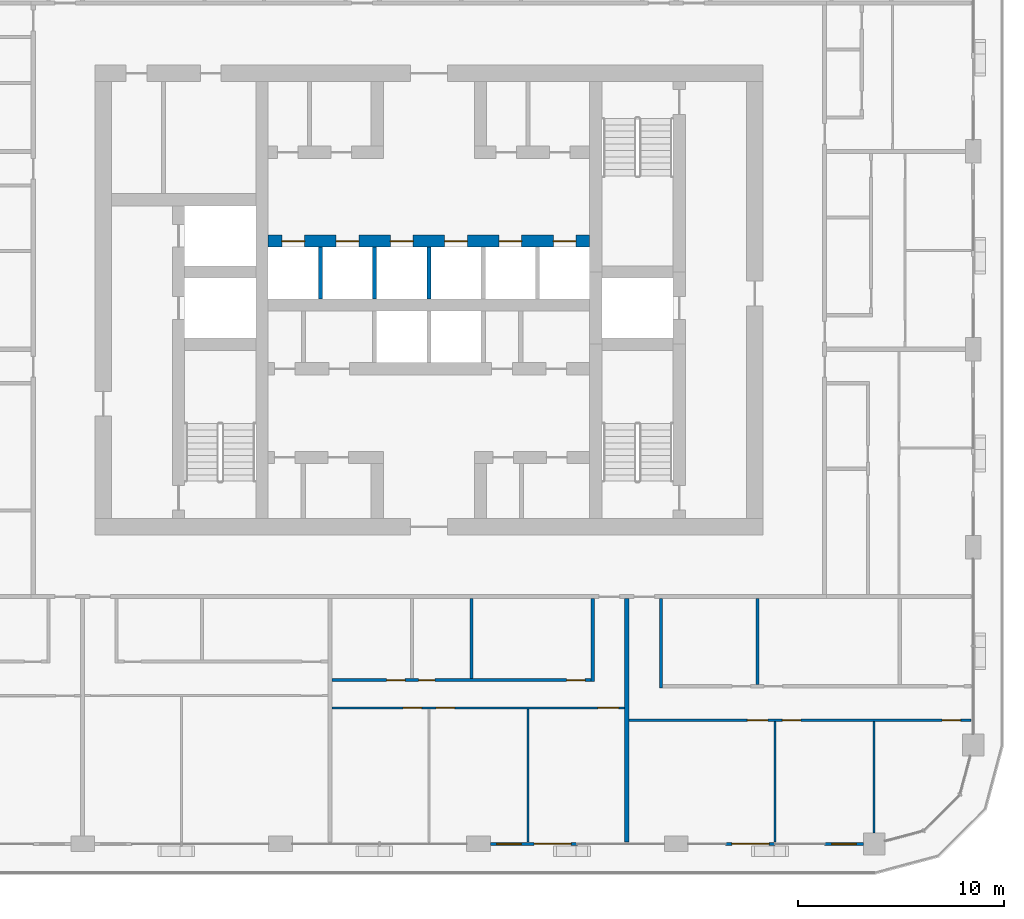
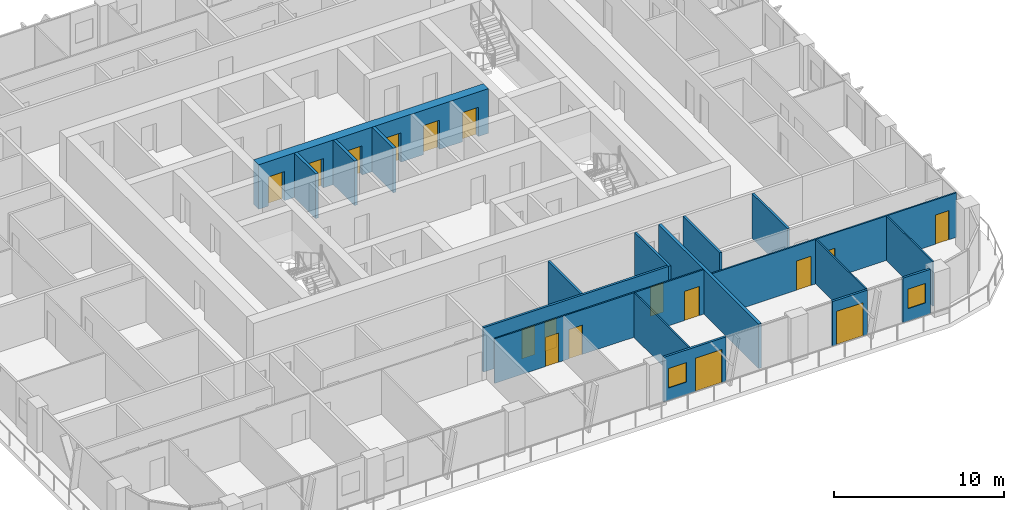
# One storey, part 11 of 22: 18 walls, 17 doors, 2 windows, 19 openings.
"""IFC4 building model written with IfcOpenShell, lengths in metres."""

import ifcopenshell
import ifcopenshell.guid

model = None  # the IFC model being written
_history = None  # IfcOwnerHistory: only IFC2X3 demands one
_inside = {}  # id of a spatial element -> (the spatial element, [elements in it])
_under = {}  # id of a project, library or spatial element -> (it, [spatial elements below it])
_declared = {}  # id of a project -> (the project, [libraries it declares])
_typed = {}  # id of a type object -> (the type object, [elements of that type])
_made_of = {}  # id of a material, layer set ... -> (it, [elements and type objects made of it])


def new_model(schema):
    """Start an empty IFC model of exactly this schema.

    Asked for "IFC4X3", IfcOpenShell would pick the latest addendum, in which some entities
    have other attributes; the version numbers below select the first issue.
    IFC2X3 requires an IfcOwnerHistory on every rooted entity: one is made here for all.
    """
    global model, _history
    if schema == "IFC4X3":
        model = ifcopenshell.file(schema_version=(4, 3, 0, 0))
    else:
        model = ifcopenshell.file(schema=schema)
    _inside.clear()
    _under.clear()
    _declared.clear()
    _typed.clear()
    _made_of.clear()
    _history = None
    if model.schema == "IFC2X3":
        org = make("IfcOrganization", Name="unknown")
        user = make(
            "IfcPersonAndOrganization",
            ThePerson=make("IfcPerson", FamilyName="unknown"),
            TheOrganization=org,
        )
        app = make(
            "IfcApplication",
            ApplicationDeveloper=org,
            Version="unknown",
            ApplicationFullName="unknown",
            ApplicationIdentifier="unknown",
        )
        _history = make(
            "IfcOwnerHistory",
            OwningUser=user,
            OwningApplication=app,
            ChangeAction="ADDED",
            CreationDate=0,
        )
    return model


def make(cls, **values):
    """One entity of the class cls with the attributes given. An attribute that is None is left unset."""
    return model.create_entity(
        cls, **{name: value for name, value in values.items() if value is not None}
    )


def rooted(cls, **values):
    """An entity with a GlobalId (a new one), such as an element, a storey or a relation."""
    return make(cls, GlobalId=ifcopenshell.guid.new(), OwnerHistory=_history, **values)


def si_unit(unit_type, name, prefix=None):
    """IfcSIUnit, for example si_unit("LENGTHUNIT", "METRE", prefix="MILLI")."""
    return make("IfcSIUnit", UnitType=unit_type, Prefix=prefix, Name=name)


def assignment(units):
    """IfcUnitAssignment: the units of a project."""
    return None if units is None else make("IfcUnitAssignment", Units=units)


def point(xyz):
    """IfcCartesianPoint."""
    return None if xyz is None else make("IfcCartesianPoint", Coordinates=xyz)


def direction(xyz):
    """IfcDirection."""
    return None if xyz is None else make("IfcDirection", DirectionRatios=xyz)


def frame(location, z_axis=None, x_axis=None):
    """IfcAxis2Placement3D, a coordinate frame: its origin and axes. An axis left out is left unset."""
    return make(
        "IfcAxis2Placement3D",
        Location=point(location),
        Axis=direction(z_axis),
        RefDirection=direction(x_axis),
    )


def frame_2d(location, x_axis=None):
    """IfcAxis2Placement2D, a coordinate frame in the plane: its origin and x axis."""
    return make(
        "IfcAxis2Placement2D", Location=point(location), RefDirection=direction(x_axis)
    )


def origin():
    """The frame at (0, 0, 0) with its axes left unset."""
    return frame((0.0, 0.0, 0.0))


def place(relative_to, where):
    """IfcLocalPlacement: puts the frame where relative to a parent placement (None: the world)."""
    return make(
        "IfcLocalPlacement", PlacementRelTo=relative_to, RelativePlacement=where
    )


def context(
    kind, dimensions, precision=None, world=None, true_north=None, identifier=None
):
    """IfcGeometricRepresentationContext, for example the 3D "Model" context."""
    return make(
        "IfcGeometricRepresentationContext",
        ContextIdentifier=identifier,
        ContextType=kind,
        CoordinateSpaceDimension=dimensions,
        Precision=precision,
        WorldCoordinateSystem=world,
        TrueNorth=true_north,
    )


def subcontext(parent, identifier, kind, view, scale=None):
    """IfcGeometricRepresentationSubContext, for example "Body" below "Model"."""
    return make(
        "IfcGeometricRepresentationSubContext",
        ContextIdentifier=identifier,
        ContextType=kind,
        ParentContext=parent,
        TargetScale=scale,
        TargetView=view,
    )


def project(units=None, contexts=None):
    """IfcProject with its units and contexts."""
    return rooted(
        "IfcProject",
        Name="project",
        RepresentationContexts=contexts,
        UnitsInContext=assignment(units),
    )


def spatial(cls, under=None, at=None, **own):
    """A site, building, storey or space (cls), placed at a placement, below another one or the project."""
    s = rooted(cls, ObjectPlacement=at, **own)
    if under is not None:
        _under.setdefault(under.id(), (under, []))[1].append(s)
    return s


def profile(cls, at=None, kind="AREA", **sizes):
    """A parametric profile (cls). Its sizes go by their IFC names, for example OverallWidth=200.0."""
    return make(cls, ProfileType=kind, Position=at, **sizes)


def rectangle(**sizes):
    """IfcRectangleProfileDef."""
    return profile("IfcRectangleProfileDef", **sizes)


def extrude(swept, where, along, depth):
    """IfcExtrudedAreaSolid: the profile swept, set in the frame where, extruded along a direction by depth."""
    return make(
        "IfcExtrudedAreaSolid",
        SweptArea=swept,
        Position=where,
        ExtrudedDirection=direction(along),
        Depth=depth,
    )


def shape(context_of_items, identifier, shape_type, items):
    """IfcShapeRepresentation: the items that make up one representation, for example the "Body"."""
    return make(
        "IfcShapeRepresentation",
        ContextOfItems=context_of_items,
        RepresentationIdentifier=identifier,
        RepresentationType=shape_type,
        Items=items,
    )


def material(Name=None, Category=None):
    """IfcMaterial."""
    return make("IfcMaterial", Name=Name, Category=Category)


def layer(
    of_material, thickness, ventilated=None, Name=None, Category=None, Priority=None
):
    """IfcMaterialLayer: one layer of a wall or slab, of a material (None: an air gap)."""
    return make(
        "IfcMaterialLayer",
        Material=of_material,
        LayerThickness=thickness,
        IsVentilated=ventilated,
        Name=Name,
        Category=Category,
        Priority=Priority,
    )


def layer_set(layers, Name=None):
    """IfcMaterialLayerSet."""
    return make("IfcMaterialLayerSet", MaterialLayers=layers, LayerSetName=Name)


def made_of(thing, what):
    """Note that an element or type object is made of a material, layer set ...; save() writes the relation."""
    if what is not None:
        _made_of.setdefault(what.id(), (what, []))[1].append(thing)
    return thing


def type_object(cls, material=None, **own):
    """A type object (cls), such as IfcWallType, which elements share."""
    return made_of(rooted(cls, **own), material)


def element(
    cls,
    number,
    at=None,
    inside=None,
    cuts=None,
    type_object=None,
    material=None,
    context=None,
    identifier="Body",
    shape_type=None,
    held_by="IfcProductDefinitionShape",
    body=None,
    shapes=None,
    **own,
):
    """One element of the class cls, such as IfcWall. Its Tag is "e" and its number.

    at: its placement. inside: the storey or other place that contains it. cuts: it is an
    opening in that element (IfcRelVoidsElement). A single representation is given by context,
    identifier, shape_type and body (its items); several are given by shapes. held_by: the class
    of the entity that holds the representations. save() writes the other relations.
    """
    e = rooted(cls, Tag="e%d" % number, ObjectPlacement=at, **own)
    if body is not None:
        shapes = [shape(context, identifier, shape_type, body)]
    if shapes is not None:
        e.Representation = make(held_by, Representations=shapes)
    if inside is not None:
        _inside.setdefault(inside.id(), (inside, []))[1].append(e)
    if cuts is not None:
        rooted(
            "IfcRelVoidsElement", RelatingBuildingElement=cuts, RelatedOpeningElement=e
        )
    if type_object is not None:
        _typed.setdefault(type_object.id(), (type_object, []))[1].append(e)
    return made_of(e, material)


def fill(opening, filler):
    """IfcRelFillsElement: the door or window that sits in an opening."""
    return rooted(
        "IfcRelFillsElement",
        RelatingOpeningElement=opening,
        RelatedBuildingElement=filler,
    )


def aggregate(whole, parts):
    """IfcRelAggregates: a whole, such as a stair, and the parts it consists of."""
    return rooted("IfcRelAggregates", RelatingObject=whole, RelatedObjects=parts)


def save(model, path):
    """Write the relations noted so far, then the file.

    IfcRelAggregates (storeys below a building ...), IfcRelContainedInSpatialStructure (elements
    in a storey), IfcRelDefinesByType, IfcRelAssociatesMaterial and IfcRelDeclares: one each for
    every whole, place, type object, material and project.
    """
    for whole, parts in _under.values():
        aggregate(whole, parts)
    for where, things in _inside.values():
        rooted(
            "IfcRelContainedInSpatialStructure",
            RelatedElements=things,
            RelatingStructure=where,
        )
    for kind, things in _typed.values():
        rooted("IfcRelDefinesByType", RelatedObjects=things, RelatingType=kind)
    for what, things in _made_of.values():
        rooted("IfcRelAssociatesMaterial", RelatedObjects=things, RelatingMaterial=what)
    for by, libraries in _declared.values():
        rooted("IfcRelDeclares", RelatingContext=by, RelatedDefinitions=libraries)
    model.write(path)


model = new_model("IFC4")

# Units and contexts
model_context = context("Model", 3, precision=1e-05, world=origin(), true_north=direction((0.0, 1.0)))
body_context = subcontext(model_context, "Body", "Model", "MODEL_VIEW")
ifc_project = project(units=[si_unit("LENGTHUNIT", "METRE"), si_unit("AREAUNIT", "SQUARE_METRE"), si_unit("VOLUMEUNIT", "CUBIC_METRE"), si_unit("PLANEANGLEUNIT", "RADIAN"), si_unit("MASSUNIT", "GRAM", prefix="KILO")], contexts=[model_context])

# Site, building, storey
site_placement = place(None, origin())
site = spatial("IfcSite", under=ifc_project, at=site_placement, CompositionType="ELEMENT")
building_placement = place(site_placement, origin())
building = spatial("IfcBuilding", under=site, at=building_placement, Name="Madar Terraces", CompositionType="ELEMENT")
storey_placement = place(building_placement, frame((0.0, 0.0, 156.0)))
storey = spatial("IfcBuildingStorey", under=building, at=storey_placement, Name="L40", CompositionType="ELEMENT", Elevation=156.0)

# Wall, openings, doors
ifc_material_1 = material(Name="Concrete C70/85", Category="concrete")
ifc_layer_1 = layer(ifc_material_1, 0.60009765625)
ifc_layer_set_1 = layer_set([ifc_layer_1], Name="Concrete C70/85 (CIW3 RC wall 600)")
wall_type_1 = type_object("IfcWallType", Name="CIW3 RC wall 600", PredefinedType="SHEAR", material=ifc_layer_set_1)
wall_1_placement = place(storey_placement, frame((23.39990234375, 29.25, 0.0), z_axis=(0.0, 0.0, 1.0), x_axis=(1.0, 0.0, 0.0)))
wall_1 = element("IfcWall", 1, at=wall_1_placement, inside=storey, type_object=wall_type_1, Name="CORE SHAFT WALL", PredefinedType="SHEAR", context=body_context, shape_type="SweptSolid", body=[
    extrude(rectangle(XDim=15.60009765625, YDim=0.60009765625, at=frame_2d((7.800048828125, 0.0))), origin(), (0.0, 0.0, 1.0), 3.199951171875),
])
opening_1_placement = place(wall_1_placement, frame((0.666748046875, 0.0, 0.0)))
opening_1 = element("IfcOpeningElement", 2, at=opening_1_placement, cuts=wall_1, Name="Opening LD", PredefinedType="OPENING", context=body_context, shape_type="SweptSolid", body=[
    extrude(rectangle(XDim=1.10009765625, YDim=2.10009765625, at=frame_2d((0.550048828125, 1.050048828125))), frame((0.0, 0.31005859375, 0.0), z_axis=(0.0, -1.0, 0.0), x_axis=(1.0, 0.0, 0.0)), (0.0, 0.0, 1.0), 0.6201171875),
])
opening_2_placement = place(wall_1_placement, frame((3.300048828125, 0.0, 0.0)))
opening_2 = element("IfcOpeningElement", 3, at=opening_2_placement, cuts=wall_1, Name="Opening LD", PredefinedType="OPENING", context=body_context, shape_type="SweptSolid", body=[
    extrude(rectangle(XDim=1.10009765625, YDim=2.10009765625, at=frame_2d((0.550048828125, 1.050048828125))), frame((0.0, 0.31005859375, 0.0), z_axis=(0.0, -1.0, 0.0), x_axis=(1.0, 0.0, 0.0)), (0.0, 0.0, 1.0), 0.6201171875),
])
opening_3_placement = place(wall_1_placement, frame((5.933349609375, 0.0, 0.0)))
opening_3 = element("IfcOpeningElement", 4, at=opening_3_placement, cuts=wall_1, Name="Opening LD", PredefinedType="OPENING", context=body_context, shape_type="SweptSolid", body=[
    extrude(rectangle(XDim=1.10009765625, YDim=2.10009765625, at=frame_2d((0.550048828125, 1.050048828125))), frame((0.0, 0.31005859375, 0.0), z_axis=(0.0, -1.0, 0.0), x_axis=(1.0, 0.0, 0.0)), (0.0, 0.0, 1.0), 0.6201171875),
])
opening_4_placement = place(wall_1_placement, frame((8.566650390625, 0.0, 0.0)))
opening_4 = element("IfcOpeningElement", 5, at=opening_4_placement, cuts=wall_1, Name="Opening LD", PredefinedType="OPENING", context=body_context, shape_type="SweptSolid", body=[
    extrude(rectangle(XDim=1.10009765625, YDim=2.10009765625, at=frame_2d((0.550048828125, 1.050048828125))), frame((0.0, 0.31005859375, 0.0), z_axis=(0.0, -1.0, 0.0), x_axis=(1.0, 0.0, 0.0)), (0.0, 0.0, 1.0), 0.6201171875),
])
opening_5_placement = place(wall_1_placement, frame((11.199951171875, 0.0, 0.0)))
opening_5 = element("IfcOpeningElement", 6, at=opening_5_placement, cuts=wall_1, Name="Opening LD", PredefinedType="OPENING", context=body_context, shape_type="SweptSolid", body=[
    extrude(rectangle(XDim=1.10009765625, YDim=2.10009765625, at=frame_2d((0.550048828125, 1.050048828125))), frame((0.0, 0.31005859375, 0.0), z_axis=(0.0, -1.0, 0.0), x_axis=(1.0, 0.0, 0.0)), (0.0, 0.0, 1.0), 0.6201171875),
])
opening_6_placement = place(wall_1_placement, frame((13.833251953125, 0.0, 0.0)))
opening_6 = element("IfcOpeningElement", 7, at=opening_6_placement, cuts=wall_1, Name="Opening LD", PredefinedType="OPENING", context=body_context, shape_type="SweptSolid", body=[
    extrude(rectangle(XDim=1.10009765625, YDim=2.10009765625, at=frame_2d((0.550048828125, 1.050048828125))), frame((0.0, 0.31005859375, 0.0), z_axis=(0.0, -1.0, 0.0), x_axis=(1.0, 0.0, 0.0)), (0.0, 0.0, 1.0), 0.6201171875),
])
ifc_material_2 = material(Name="Stainless steel panel", Category="steel")
door_type_1 = type_object("IfcDoorType", Name="Lift landing door 1100 x 2100", OperationType="DOUBLE_DOOR_SLIDING", PredefinedType="DOOR", material=ifc_material_2)
door_1_placement = place(opening_1_placement, origin())
door_1 = element("IfcDoor", 8, at=door_1_placement, inside=storey, type_object=door_type_1, Name="LIFT LANDING DOOR", OperationType="DOUBLE_DOOR_SLIDING", OverallHeight=2.10009765625, OverallWidth=1.10009765625, PredefinedType="DOOR", context=body_context, shape_type="SweptSolid", body=[
    extrude(rectangle(XDim=1.10009765625, YDim=2.10009765625, at=frame_2d((0.550048828125, 1.050048828125))), frame((0.0, 0.02490234375, 0.0), z_axis=(0.0, -1.0, 0.0), x_axis=(1.0, 0.0, 0.0)), (0.0, 0.0, 1.0), 0.050048828125),
])
fill(opening_1, door_1)
door_2_placement = place(opening_2_placement, origin())
door_2 = element("IfcDoor", 9, at=door_2_placement, inside=storey, type_object=door_type_1, Name="LIFT LANDING DOOR", OperationType="DOUBLE_DOOR_SLIDING", OverallHeight=2.10009765625, OverallWidth=1.10009765625, PredefinedType="DOOR", context=body_context, shape_type="SweptSolid", body=[
    extrude(rectangle(XDim=1.10009765625, YDim=2.10009765625, at=frame_2d((0.550048828125, 1.050048828125))), frame((0.0, 0.02490234375, 0.0), z_axis=(0.0, -1.0, 0.0), x_axis=(1.0, 0.0, 0.0)), (0.0, 0.0, 1.0), 0.050048828125),
])
fill(opening_2, door_2)
door_3_placement = place(opening_3_placement, origin())
door_3 = element("IfcDoor", 10, at=door_3_placement, inside=storey, type_object=door_type_1, Name="LIFT LANDING DOOR", OperationType="DOUBLE_DOOR_SLIDING", OverallHeight=2.10009765625, OverallWidth=1.10009765625, PredefinedType="DOOR", context=body_context, shape_type="SweptSolid", body=[
    extrude(rectangle(XDim=1.10009765625, YDim=2.10009765625, at=frame_2d((0.550048828125, 1.050048828125))), frame((0.0, 0.02490234375, 0.0), z_axis=(0.0, -1.0, 0.0), x_axis=(1.0, 0.0, 0.0)), (0.0, 0.0, 1.0), 0.050048828125),
])
fill(opening_3, door_3)
door_4_placement = place(opening_4_placement, origin())
door_4 = element("IfcDoor", 11, at=door_4_placement, inside=storey, type_object=door_type_1, Name="LIFT LANDING DOOR", OperationType="DOUBLE_DOOR_SLIDING", OverallHeight=2.10009765625, OverallWidth=1.10009765625, PredefinedType="DOOR", context=body_context, shape_type="SweptSolid", body=[
    extrude(rectangle(XDim=1.10009765625, YDim=2.10009765625, at=frame_2d((0.550048828125, 1.050048828125))), frame((0.0, 0.02490234375, 0.0), z_axis=(0.0, -1.0, 0.0), x_axis=(1.0, 0.0, 0.0)), (0.0, 0.0, 1.0), 0.050048828125),
])
fill(opening_4, door_4)
door_5_placement = place(opening_5_placement, origin())
door_5 = element("IfcDoor", 12, at=door_5_placement, inside=storey, type_object=door_type_1, Name="LIFT LANDING DOOR", OperationType="DOUBLE_DOOR_SLIDING", OverallHeight=2.10009765625, OverallWidth=1.10009765625, PredefinedType="DOOR", context=body_context, shape_type="SweptSolid", body=[
    extrude(rectangle(XDim=1.10009765625, YDim=2.10009765625, at=frame_2d((0.550048828125, 1.050048828125))), frame((0.0, 0.02490234375, 0.0), z_axis=(0.0, -1.0, 0.0), x_axis=(1.0, 0.0, 0.0)), (0.0, 0.0, 1.0), 0.050048828125),
])
fill(opening_5, door_5)
door_6_placement = place(opening_6_placement, origin())
door_6 = element("IfcDoor", 13, at=door_6_placement, inside=storey, type_object=door_type_1, Name="LIFT LANDING DOOR", OperationType="DOUBLE_DOOR_SLIDING", OverallHeight=2.10009765625, OverallWidth=1.10009765625, PredefinedType="DOOR", context=body_context, shape_type="SweptSolid", body=[
    extrude(rectangle(XDim=1.10009765625, YDim=2.10009765625, at=frame_2d((0.550048828125, 1.050048828125))), frame((0.0, 0.02490234375, 0.0), z_axis=(0.0, -1.0, 0.0), x_axis=(1.0, 0.0, 0.0)), (0.0, 0.0, 1.0), 0.050048828125),
])
fill(opening_6, door_6)

# Walls
ifc_material_3 = material(Name="Concrete C40/50", Category="concrete")
ifc_layer_2 = layer(ifc_material_3, 0.199951171875)
ifc_layer_set_2 = layer_set([ifc_layer_2], Name="Core shaft dividing wall 200 C40/50")
wall_type_2 = type_object("IfcWallType", Name="Core shaft dividing wall 200 C40/50", PredefinedType="SOLIDWALL", material=ifc_layer_set_2)
for number, where, z_axis, x_axis, name in (
    (14, (25.933349609375, 26.449951171875, 0.0), (0.0, 0.0, 1.0), (0.0, 1.0, 0.0), "SHAFT DIVIDING WALL"),
    (15, (28.566650390625, 26.449951171875, 0.0), (0.0, 0.0, 1.0), (0.0, 1.0, 0.0), "SHAFT DIVIDING WALL"),
    (16, (31.199951171875, 26.449951171875, 0.0), (0.0, 0.0, 1.0), (0.0, 1.0, 0.0), "SHAFT DIVIDING WALL"),
):
    element("IfcWall", number, at=place(storey_placement, frame(where, z_axis=z_axis, x_axis=x_axis)), inside=storey, type_object=wall_type_2, Name=name, PredefinedType="SOLIDWALL", context=body_context, shape_type="SweptSolid", body=[
        extrude(rectangle(XDim=2.5, YDim=0.199951171875, at=frame_2d((1.25, 0.0))), origin(), (0.0, 0.0, 1.0), 3.199951171875),
    ])

# Wall, openings, door, window
ifc_material_4 = material(Name="Aluminium composite panel, black, over insulated backing", Category="aluminium")
ifc_layer_3 = layer(ifc_material_4, 0.14990234375)
ifc_layer_set_3 = layer_set([ifc_layer_3], Name="Facade bay panel 150")
wall_type_3 = type_object("IfcWallType", Name="Facade bay panel 150", PredefinedType="SOLIDWALL", material=ifc_layer_set_3)
wall_2_placement = place(storey_placement, frame((34.175048828125, 0.0, 0.0), z_axis=(0.0, 0.0, 1.0), x_axis=(1.0, 0.0, 0.0)))
wall_2 = element("IfcWall", 17, at=wall_2_placement, inside=storey, type_object=wall_type_3, Name="Facade bay panel", PredefinedType="SOLIDWALL", context=body_context, shape_type="SweptSolid", body=[
    extrude(rectangle(XDim=4.224853515625, YDim=0.14990234375, at=frame_2d((2.1123046875, 0.0))), origin(), (0.0, 0.0, 1.0), 3.199951171875),
])
opening_7_placement = place(wall_2_placement, frame((0.3125, 0.0, 0.89990234375)))
opening_7 = element("IfcOpeningElement", 18, at=opening_7_placement, cuts=wall_2, Name="Opening W1", PredefinedType="OPENING", context=body_context, shape_type="SweptSolid", body=[
    extrude(rectangle(XDim=1.199951171875, YDim=1.39990234375, at=frame_2d((0.60009765625, 0.699951171875))), frame((0.0, 0.0849609375, 0.0), z_axis=(0.0, -1.0, 0.0), x_axis=(1.0, 0.0, 0.0)), (0.0, 0.0, 1.0), 0.169921875),
])
opening_8_placement = place(wall_2_placement, frame((2.125, 0.0, 0.0)))
opening_8 = element("IfcOpeningElement", 19, at=opening_8_placement, cuts=wall_2, Name="Opening ED1", PredefinedType="OPENING", context=body_context, shape_type="SweptSolid", body=[
    extrude(rectangle(XDim=1.800048828125, YDim=2.39990234375, at=frame_2d((0.89990234375, 1.199951171875))), frame((0.0, 0.0849609375, 0.0), z_axis=(0.0, -1.0, 0.0), x_axis=(1.0, 0.0, 0.0)), (0.0, 0.0, 1.0), 0.169921875),
])
ifc_material_5 = material(Name="Glass, clear, with black aluminium frame", Category="aluminium")
door_type_2 = type_object("IfcDoorType", Name="Balcony and terrace sliding door 1800 x 2400", OperationType="SLIDING_TO_LEFT", PredefinedType="DOOR", material=ifc_material_5)
door_7_placement = place(opening_8_placement, origin())
door_7 = element("IfcDoor", 20, at=door_7_placement, inside=storey, type_object=door_type_2, Name="Balcony door", OperationType="SLIDING_TO_LEFT", OverallHeight=2.39990234375, OverallWidth=1.800048828125, PredefinedType="DOOR", context=body_context, shape_type="SweptSolid", body=[
    extrude(rectangle(XDim=1.800048828125, YDim=2.39990234375, at=frame_2d((0.89990234375, 1.199951171875))), frame((0.0, 0.02490234375, 0.0), z_axis=(0.0, -1.0, 0.0), x_axis=(1.0, 0.0, 0.0)), (0.0, 0.0, 1.0), 0.050048828125),
])
fill(opening_8, door_7)
ifc_material_6 = material(Name="Glass, clear, with black aluminium frame", Category="aluminium")
window_type = type_object("IfcWindowType", Name="Vent window 1200 x 1400", PartitioningType="SINGLE_PANEL", PredefinedType="WINDOW", material=ifc_material_6)
window_1_placement = place(opening_7_placement, origin())
window_1 = element("IfcWindow", 21, at=window_1_placement, inside=storey, type_object=window_type, Name="Operable vent window", OverallHeight=1.39990234375, OverallWidth=1.199951171875, PartitioningType="SINGLE_PANEL", PredefinedType="WINDOW", context=body_context, shape_type="SweptSolid", body=[
    extrude(rectangle(XDim=1.199951171875, YDim=1.39990234375, at=frame_2d((0.60009765625, 0.699951171875))), frame((0.0, 0.030029296875, 0.0), z_axis=(0.0, -1.0, 0.0), x_axis=(1.0, 0.0, 0.0)), (0.0, 0.0, 1.0), 0.06005859375),
])
fill(opening_7, window_1)

# Wall, opening, door
wall_3_placement = place(storey_placement, frame((45.60009765625, 0.0, 0.0), z_axis=(0.0, 0.0, 1.0), x_axis=(1.0, 0.0, 0.0)))
wall_3 = element("IfcWall", 22, at=wall_3_placement, inside=storey, type_object=wall_type_3, Name="Facade bay panel", PredefinedType="SOLIDWALL", context=body_context, shape_type="SweptSolid", body=[
    extrude(rectangle(XDim=2.39990234375, YDim=0.14990234375, at=frame_2d((1.199951171875, 0.0))), origin(), (0.0, 0.0, 1.0), 3.199951171875),
])
opening_9_placement = place(wall_3_placement, frame((0.300048828125, 0.0, 0.0)))
opening_9 = element("IfcOpeningElement", 23, at=opening_9_placement, cuts=wall_3, Name="Opening ED1", PredefinedType="OPENING", context=body_context, shape_type="SweptSolid", body=[
    extrude(rectangle(XDim=1.800048828125, YDim=2.39990234375, at=frame_2d((0.89990234375, 1.199951171875))), frame((0.0, 0.0849609375, 0.0), z_axis=(0.0, -1.0, 0.0), x_axis=(1.0, 0.0, 0.0)), (0.0, 0.0, 1.0), 0.169921875),
])
door_8_placement = place(opening_9_placement, origin())
door_8 = element("IfcDoor", 24, at=door_8_placement, inside=storey, type_object=door_type_2, Name="Balcony door", OperationType="SLIDING_TO_RIGHT", OverallHeight=2.39990234375, OverallWidth=1.800048828125, PredefinedType="DOOR", context=body_context, shape_type="SweptSolid", body=[
    extrude(rectangle(XDim=1.800048828125, YDim=2.39990234375, at=frame_2d((0.89990234375, 1.199951171875))), frame((0.0, 0.02490234375, 0.0), z_axis=(0.0, -1.0, 0.0), x_axis=(1.0, 0.0, 0.0)), (0.0, 0.0, 1.0), 0.050048828125),
])
fill(opening_9, door_8)

# Wall, opening, window
wall_4_placement = place(storey_placement, frame((50.39990234375, 0.0, 0.0), z_axis=(0.0, 0.0, 1.0), x_axis=(1.0, 0.0, 0.0)))
wall_4 = element("IfcWall", 25, at=wall_4_placement, inside=storey, type_object=wall_type_3, Name="Facade bay panel", PredefinedType="SOLIDWALL", context=body_context, shape_type="SweptSolid", body=[
    extrude(rectangle(XDim=1.875, YDim=0.14990234375, at=frame_2d((0.9375, 0.0))), origin(), (0.0, 0.0, 1.0), 3.199951171875),
])
opening_10_placement = place(wall_4_placement, frame((0.33740234375, 0.0, 0.89990234375)))
opening_10 = element("IfcOpeningElement", 26, at=opening_10_placement, cuts=wall_4, Name="Opening W1", PredefinedType="OPENING", context=body_context, shape_type="SweptSolid", body=[
    extrude(rectangle(XDim=1.199951171875, YDim=1.39990234375, at=frame_2d((0.60009765625, 0.699951171875))), frame((0.0, 0.0849609375, 0.0), z_axis=(0.0, -1.0, 0.0), x_axis=(1.0, 0.0, 0.0)), (0.0, 0.0, 1.0), 0.169921875),
])
window_2_placement = place(opening_10_placement, origin())
window_2 = element("IfcWindow", 27, at=window_2_placement, inside=storey, type_object=window_type, Name="Operable vent window", OverallHeight=1.39990234375, OverallWidth=1.199951171875, PartitioningType="SINGLE_PANEL", PredefinedType="WINDOW", context=body_context, shape_type="SweptSolid", body=[
    extrude(rectangle(XDim=1.199951171875, YDim=1.39990234375, at=frame_2d((0.60009765625, 0.699951171875))), frame((0.0, 0.030029296875, 0.0), z_axis=(0.0, -1.0, 0.0), x_axis=(1.0, 0.0, 0.0)), (0.0, 0.0, 1.0), 0.06005859375),
])
fill(opening_10, window_2)

# Wall
ifc_material_7 = material(Name="Gypsum board on steel studs", Category="steel")
ifc_layer_4 = layer(ifc_material_7, 0.10009765625)
ifc_layer_set_4 = layer_set([ifc_layer_4], Name="Flat partition 100")
wall_type_4 = type_object("IfcWallType", Name="Flat partition 100", PredefinedType="PARTITIONING", material=ifc_layer_set_4)
wall_5_placement = place(storey_placement, frame((36.0, 6.550048828125, 0.0), z_axis=(0.0, 0.0, 1.0), x_axis=(0.0, -1.0, 0.0)))
element("IfcWall", 28, at=wall_5_placement, inside=storey, type_object=wall_type_4, Name="Flat partition 100", PredefinedType="PARTITIONING", context=body_context, shape_type="SweptSolid", body=[
    extrude(rectangle(XDim=6.449951171875, YDim=0.10009765625, at=frame_2d((3.22509765625, 0.0))), origin(), (0.0, 0.0, 1.0), 3.199951171875),
])

# Wall, openings, doors
wall_6_placement = place(storey_placement, frame((40.699951171875, 6.60009765625, 0.0), z_axis=(0.0, 0.0, 1.0), x_axis=(-1.0, 0.0, 0.0)))
wall_6 = element("IfcWall", 29, at=wall_6_placement, inside=storey, type_object=wall_type_4, Name="Flat partition 100", PredefinedType="PARTITIONING", context=body_context, shape_type="SweptSolid", body=[
    extrude(rectangle(XDim=14.199951171875, YDim=0.10009765625, at=frame_2d((7.10009765625, 0.0))), origin(), (0.0, 0.0, 1.0), 3.199951171875),
])
opening_11_placement = place(wall_6_placement, frame((0.300048828125, 0.0, 0.0)))
opening_11 = element("IfcOpeningElement", 30, at=opening_11_placement, cuts=wall_6, Name="Opening D3", PredefinedType="OPENING", context=body_context, shape_type="SweptSolid", body=[
    extrude(rectangle(XDim=1.0, YDim=2.10009765625, at=frame_2d((0.5, 1.050048828125))), frame((0.0, 0.06005859375, 0.0), z_axis=(0.0, -1.0, 0.0), x_axis=(1.0, 0.0, 0.0)), (0.0, 0.0, 1.0), 0.1201171875),
])
opening_12_placement = place(wall_6_placement, frame((8.25, 0.0, 0.0)))
opening_12 = element("IfcOpeningElement", 31, at=opening_12_placement, cuts=wall_6, Name="Opening D2", PredefinedType="OPENING", context=body_context, shape_type="SweptSolid", body=[
    extrude(rectangle(XDim=0.89990234375, YDim=2.10009765625, at=frame_2d((0.449951171875, 1.050048828125))), frame((0.0, 0.06005859375, 0.0), z_axis=(0.0, -1.0, 0.0), x_axis=(1.0, 0.0, 0.0)), (0.0, 0.0, 1.0), 0.1201171875),
])
opening_13_placement = place(wall_6_placement, frame((9.85009765625, 0.0, 0.0)))
opening_13 = element("IfcOpeningElement", 32, at=opening_13_placement, cuts=wall_6, Name="Opening D2", PredefinedType="OPENING", context=body_context, shape_type="SweptSolid", body=[
    extrude(rectangle(XDim=0.89990234375, YDim=2.10009765625, at=frame_2d((0.449951171875, 1.050048828125))), frame((0.0, 0.06005859375, 0.0), z_axis=(0.0, -1.0, 0.0), x_axis=(1.0, 0.0, 0.0)), (0.0, 0.0, 1.0), 0.1201171875),
])
ifc_material_8 = material(Name="Timber door leaf", Category="wood")
door_type_3 = type_object("IfcDoorType", Name="Flat living room door 1000", OperationType="NOTDEFINED", PredefinedType="DOOR", material=ifc_material_8)
door_9_placement = place(opening_11_placement, origin())
door_9 = element("IfcDoor", 33, at=door_9_placement, inside=storey, type_object=door_type_3, Name="Flat living room door 1000", OperationType="SINGLE_SWING_LEFT", OverallHeight=2.10009765625, OverallWidth=1.0, PredefinedType="DOOR", context=body_context, shape_type="SweptSolid", body=[
    extrude(rectangle(XDim=1.0, YDim=2.10009765625, at=frame_2d((0.5, 1.050048828125))), frame((0.0, 0.02490234375, 0.0), z_axis=(0.0, -1.0, 0.0), x_axis=(1.0, 0.0, 0.0)), (0.0, 0.0, 1.0), 0.050048828125),
])
fill(opening_11, door_9)
ifc_material_9 = material(Name="Timber door leaf", Category="wood")
door_type_4 = type_object("IfcDoorType", Name="Flat room door 900", OperationType="NOTDEFINED", PredefinedType="DOOR", material=ifc_material_9)
door_10_placement = place(opening_12_placement, origin())
door_10 = element("IfcDoor", 34, at=door_10_placement, inside=storey, type_object=door_type_4, Name="Flat room door 900", OperationType="SINGLE_SWING_RIGHT", OverallHeight=2.10009765625, OverallWidth=0.89990234375, PredefinedType="DOOR", context=body_context, shape_type="SweptSolid", body=[
    extrude(rectangle(XDim=0.89990234375, YDim=2.10009765625, at=frame_2d((0.449951171875, 1.050048828125))), frame((0.0, 0.02490234375, 0.0), z_axis=(0.0, -1.0, 0.0), x_axis=(1.0, 0.0, 0.0)), (0.0, 0.0, 1.0), 0.050048828125),
])
fill(opening_12, door_10)
door_11_placement = place(opening_13_placement, origin())
door_11 = element("IfcDoor", 35, at=door_11_placement, inside=storey, type_object=door_type_4, Name="Flat room door 900", OperationType="SINGLE_SWING_LEFT", OverallHeight=2.10009765625, OverallWidth=0.89990234375, PredefinedType="DOOR", context=body_context, shape_type="SweptSolid", body=[
    extrude(rectangle(XDim=0.89990234375, YDim=2.10009765625, at=frame_2d((0.449951171875, 1.050048828125))), frame((0.0, 0.02490234375, 0.0), z_axis=(0.0, -1.0, 0.0), x_axis=(1.0, 0.0, 0.0)), (0.0, 0.0, 1.0), 0.050048828125),
])
fill(opening_13, door_11)

# Walls
wall_7_placement = place(storey_placement, frame((48.0, 5.949951171875, 0.0), z_axis=(0.0, 0.0, 1.0), x_axis=(0.0, -1.0, 0.0)))
element("IfcWall", 36, at=wall_7_placement, inside=storey, type_object=wall_type_4, Name="Flat partition 100", PredefinedType="PARTITIONING", context=body_context, shape_type="SweptSolid", body=[
    extrude(rectangle(XDim=5.849853515625, YDim=0.10009765625, at=frame_2d((2.9248046875, 0.0))), origin(), (0.0, 0.0, 1.0), 3.199951171875),
])
wall_8_placement = place(storey_placement, frame((52.800048828125, 5.949951171875, 0.0), z_axis=(0.0, 0.0, 1.0), x_axis=(0.0, -1.0, 0.0)))
element("IfcWall", 37, at=wall_8_placement, inside=storey, type_object=wall_type_4, Name="Flat partition 100", PredefinedType="PARTITIONING", context=body_context, shape_type="SweptSolid", body=[
    extrude(rectangle(XDim=5.425048828125, YDim=0.10009765625, at=frame_2d((2.71240234375, 0.0))), origin(), (0.0, 0.0, 1.0), 3.199951171875),
])

# Wall, openings, doors
wall_9_placement = place(storey_placement, frame((57.5, 6.0, 0.0), z_axis=(0.0, 0.0, 1.0), x_axis=(-1.0, 0.0, 0.0)))
wall_9 = element("IfcWall", 38, at=wall_9_placement, inside=storey, type_object=wall_type_4, Name="Flat partition 100", PredefinedType="PARTITIONING", context=body_context, shape_type="SweptSolid", body=[
    extrude(rectangle(XDim=16.60009765625, YDim=0.10009765625, at=frame_2d((8.300048828125, 0.0))), origin(), (0.0, 0.0, 1.0), 3.199951171875),
])
opening_14_placement = place(wall_9_placement, frame((9.85009765625, 0.0, 0.0)))
opening_14 = element("IfcOpeningElement", 39, at=opening_14_placement, cuts=wall_9, Name="Opening D3", PredefinedType="OPENING", context=body_context, shape_type="SweptSolid", body=[
    extrude(rectangle(XDim=1.0, YDim=2.10009765625, at=frame_2d((0.5, 1.050048828125))), frame((0.0, 0.06005859375, 0.0), z_axis=(0.0, -1.0, 0.0), x_axis=(1.0, 0.0, 0.0)), (0.0, 0.0, 1.0), 0.1201171875),
])
opening_15_placement = place(wall_9_placement, frame((8.25, 0.0, 0.0)))
opening_15 = element("IfcOpeningElement", 40, at=opening_15_placement, cuts=wall_9, Name="Opening D2", PredefinedType="OPENING", context=body_context, shape_type="SweptSolid", body=[
    extrude(rectangle(XDim=0.89990234375, YDim=2.10009765625, at=frame_2d((0.449951171875, 1.050048828125))), frame((0.0, 0.06005859375, 0.0), z_axis=(0.0, -1.0, 0.0), x_axis=(1.0, 0.0, 0.0)), (0.0, 0.0, 1.0), 0.1201171875),
])
opening_16_placement = place(wall_9_placement, frame((0.5, 0.0, 0.0)))
opening_16 = element("IfcOpeningElement", 41, at=opening_16_placement, cuts=wall_9, Name="Opening D2", PredefinedType="OPENING", context=body_context, shape_type="SweptSolid", body=[
    extrude(rectangle(XDim=0.89990234375, YDim=2.10009765625, at=frame_2d((0.449951171875, 1.050048828125))), frame((0.0, 0.06005859375, 0.0), z_axis=(0.0, -1.0, 0.0), x_axis=(1.0, 0.0, 0.0)), (0.0, 0.0, 1.0), 0.1201171875),
])
door_12_placement = place(opening_14_placement, origin())
door_12 = element("IfcDoor", 42, at=door_12_placement, inside=storey, type_object=door_type_3, Name="Flat living room door 1000", OperationType="SINGLE_SWING_LEFT", OverallHeight=2.10009765625, OverallWidth=1.0, PredefinedType="DOOR", context=body_context, shape_type="SweptSolid", body=[
    extrude(rectangle(XDim=1.0, YDim=2.10009765625, at=frame_2d((0.5, 1.050048828125))), frame((0.0, 0.02490234375, 0.0), z_axis=(0.0, -1.0, 0.0), x_axis=(1.0, 0.0, 0.0)), (0.0, 0.0, 1.0), 0.050048828125),
])
fill(opening_14, door_12)
door_13_placement = place(opening_15_placement, origin())
door_13 = element("IfcDoor", 43, at=door_13_placement, inside=storey, type_object=door_type_4, Name="Flat room door 900", OperationType="SINGLE_SWING_RIGHT", OverallHeight=2.10009765625, OverallWidth=0.89990234375, PredefinedType="DOOR", context=body_context, shape_type="SweptSolid", body=[
    extrude(rectangle(XDim=0.89990234375, YDim=2.10009765625, at=frame_2d((0.449951171875, 1.050048828125))), frame((0.0, 0.02490234375, 0.0), z_axis=(0.0, -1.0, 0.0), x_axis=(1.0, 0.0, 0.0)), (0.0, 0.0, 1.0), 0.050048828125),
])
fill(opening_15, door_13)
door_14_placement = place(opening_16_placement, origin())
door_14 = element("IfcDoor", 44, at=door_14_placement, inside=storey, type_object=door_type_4, Name="Flat room door 900", OperationType="SINGLE_SWING_LEFT", OverallHeight=2.10009765625, OverallWidth=0.89990234375, PredefinedType="DOOR", context=body_context, shape_type="SweptSolid", body=[
    extrude(rectangle(XDim=0.89990234375, YDim=2.10009765625, at=frame_2d((0.449951171875, 1.050048828125))), frame((0.0, 0.02490234375, 0.0), z_axis=(0.0, -1.0, 0.0), x_axis=(1.0, 0.0, 0.0)), (0.0, 0.0, 1.0), 0.050048828125),
])
fill(opening_16, door_14)

# Walls
ifc_material_10 = material(Name="Lightweight blockwork", Category="masonry")
ifc_layer_5 = layer(ifc_material_10, 0.199951171875)
ifc_layer_set_5 = layer_set([ifc_layer_5], Name="Flat party and entrance wall 200")
wall_type_5 = type_object("IfcWallType", Name="Flat party and entrance wall 200", PredefinedType="PARTITIONING", material=ifc_layer_set_5)
wall_10_placement = place(storey_placement, frame((40.800048828125, 11.89990234375, 0.0), z_axis=(0.0, 0.0, 1.0), x_axis=(0.0, -1.0, 0.0)))
element("IfcWall", 45, at=wall_10_placement, inside=storey, type_object=wall_type_5, Name="Flat party and entrance wall 200", PredefinedType="PARTITIONING", context=body_context, shape_type="SweptSolid", body=[
    extrude(rectangle(XDim=11.7998046875, YDim=0.199951171875, at=frame_2d((5.89990234375, 0.0))), origin(), (0.0, 0.0, 1.0), 3.199951171875),
])
ifc_material_11 = material(Name="Lightweight blockwork", Category="masonry")
ifc_layer_6 = layer(ifc_material_11, 0.14990234375)
ifc_layer_set_6 = layer_set([ifc_layer_6], Name="Flat wet-room partition 150")
wall_type_6 = type_object("IfcWallType", Name="Flat wet-room partition 150", PredefinedType="PARTITIONING", material=ifc_layer_set_6)
wall_11_placement = place(storey_placement, frame((33.271240234375, 11.89990234375, 0.0), z_axis=(0.0, 0.0, 1.0), x_axis=(0.0, -1.0, 0.0)))
element("IfcWall", 46, at=wall_11_placement, inside=storey, type_object=wall_type_6, Name="Flat wet-room partition 150", PredefinedType="PARTITIONING", context=body_context, shape_type="SweptSolid", body=[
    extrude(rectangle(XDim=3.875, YDim=0.14990234375, at=frame_2d((1.9375, 0.0))), origin(), (0.0, 0.0, 1.0), 3.199951171875),
])
wall_12_placement = place(storey_placement, frame((39.14990234375, 11.89990234375, 0.0), z_axis=(0.0, 0.0, 1.0), x_axis=(0.0, -1.0, 0.0)))
element("IfcWall", 47, at=wall_12_placement, inside=storey, type_object=wall_type_6, Name="Flat wet-room partition 150", PredefinedType="PARTITIONING", context=body_context, shape_type="SweptSolid", body=[
    extrude(rectangle(XDim=4.02490234375, YDim=0.14990234375, at=frame_2d((2.012451171875, 0.0))), origin(), (0.0, 0.0, 1.0), 3.199951171875),
])

# Wall, openings, doors
wall_13_placement = place(storey_placement, frame((26.5, 7.949951171875, 0.0), z_axis=(0.0, 0.0, 1.0), x_axis=(1.0, 0.0, 0.0)))
wall_13 = element("IfcWall", 48, at=wall_13_placement, inside=storey, type_object=wall_type_6, Name="Flat wet-room partition 150", PredefinedType="PARTITIONING", context=body_context, shape_type="SweptSolid", body=[
    extrude(rectangle(XDim=12.574951171875, YDim=0.14990234375, at=frame_2d((6.28759765625, 0.0))), origin(), (0.0, 0.0, 1.0), 3.199951171875),
])
opening_17_placement = place(wall_13_placement, frame((11.375, 0.0, 0.0)))
opening_17 = element("IfcOpeningElement", 49, at=opening_17_placement, cuts=wall_13, Name="Opening D2", PredefinedType="OPENING", context=body_context, shape_type="SweptSolid", body=[
    extrude(rectangle(XDim=0.89990234375, YDim=2.10009765625, at=frame_2d((0.449951171875, 1.050048828125))), frame((0.0, 0.0849609375, 0.0), z_axis=(0.0, -1.0, 0.0), x_axis=(1.0, 0.0, 0.0)), (0.0, 0.0, 1.0), 0.169921875),
])
opening_18_placement = place(wall_13_placement, frame((4.1943359375, 0.0, 0.0)))
opening_18 = element("IfcOpeningElement", 50, at=opening_18_placement, cuts=wall_13, Name="Opening D4", PredefinedType="OPENING", context=body_context, shape_type="SweptSolid", body=[
    extrude(rectangle(XDim=0.800048828125, YDim=2.10009765625, at=frame_2d((0.39990234375, 1.050048828125))), frame((0.0, 0.0849609375, 0.0), z_axis=(0.0, -1.0, 0.0), x_axis=(1.0, 0.0, 0.0)), (0.0, 0.0, 1.0), 0.169921875),
])
opening_19_placement = place(wall_13_placement, frame((2.644287109375, 0.0, 0.0)))
opening_19 = element("IfcOpeningElement", 51, at=opening_19_placement, cuts=wall_13, Name="Opening D5", PredefinedType="OPENING", context=body_context, shape_type="SweptSolid", body=[
    extrude(rectangle(XDim=0.89990234375, YDim=2.10009765625, at=frame_2d((0.449951171875, 1.050048828125))), frame((0.0, 0.0849609375, 0.0), z_axis=(0.0, -1.0, 0.0), x_axis=(1.0, 0.0, 0.0)), (0.0, 0.0, 1.0), 0.169921875),
])
ifc_material_12 = material(Name="Timber door leaf", Category="wood")
door_type_5 = type_object("IfcDoorType", Name="Flat accessible bathroom door 900", OperationType="NOTDEFINED", PredefinedType="DOOR", material=ifc_material_12)
door_15_placement = place(opening_19_placement, origin())
door_15 = element("IfcDoor", 52, at=door_15_placement, inside=storey, type_object=door_type_5, Name="Flat accessible bathroom door 900", OperationType="SINGLE_SWING_RIGHT", OverallHeight=2.10009765625, OverallWidth=0.89990234375, PredefinedType="DOOR", context=body_context, shape_type="SweptSolid", body=[
    extrude(rectangle(XDim=0.89990234375, YDim=2.10009765625, at=frame_2d((0.449951171875, 1.050048828125))), frame((0.0, 0.02490234375, 0.0), z_axis=(0.0, -1.0, 0.0), x_axis=(1.0, 0.0, 0.0)), (0.0, 0.0, 1.0), 0.050048828125),
])
fill(opening_19, door_15)
ifc_material_13 = material(Name="Timber door leaf", Category="wood")
door_type_6 = type_object("IfcDoorType", Name="Flat bathroom door 800", OperationType="NOTDEFINED", PredefinedType="DOOR", material=ifc_material_13)
door_16_placement = place(opening_18_placement, origin())
door_16 = element("IfcDoor", 53, at=door_16_placement, inside=storey, type_object=door_type_6, Name="Flat bathroom door 800", OperationType="SINGLE_SWING_LEFT", OverallHeight=2.10009765625, OverallWidth=0.800048828125, PredefinedType="DOOR", context=body_context, shape_type="SweptSolid", body=[
    extrude(rectangle(XDim=0.800048828125, YDim=2.10009765625, at=frame_2d((0.39990234375, 1.050048828125))), frame((0.0, 0.02490234375, 0.0), z_axis=(0.0, -1.0, 0.0), x_axis=(1.0, 0.0, 0.0)), (0.0, 0.0, 1.0), 0.050048828125),
])
fill(opening_18, door_16)
door_17_placement = place(opening_17_placement, origin())
door_17 = element("IfcDoor", 54, at=door_17_placement, inside=storey, type_object=door_type_4, Name="Flat room door 900", OperationType="SINGLE_SWING_RIGHT", OverallHeight=2.10009765625, OverallWidth=0.89990234375, PredefinedType="DOOR", context=body_context, shape_type="SweptSolid", body=[
    extrude(rectangle(XDim=0.89990234375, YDim=2.10009765625, at=frame_2d((0.449951171875, 1.050048828125))), frame((0.0, 0.02490234375, 0.0), z_axis=(0.0, -1.0, 0.0), x_axis=(1.0, 0.0, 0.0)), (0.0, 0.0, 1.0), 0.050048828125),
])
fill(opening_17, door_17)

# Walls
wall_14_placement = place(storey_placement, frame((47.1328125, 11.89990234375, 0.0), z_axis=(0.0, 0.0, 1.0), x_axis=(0.0, -1.0, 0.0)))
element("IfcWall", 55, at=wall_14_placement, inside=storey, type_object=wall_type_6, Name="Flat wet-room partition 150", PredefinedType="PARTITIONING", context=body_context, shape_type="SweptSolid", body=[
    extrude(rectangle(XDim=4.1748046875, YDim=0.14990234375, at=frame_2d((2.08740234375, 0.0))), origin(), (0.0, 0.0, 1.0), 3.199951171875),
])
wall_15_placement = place(storey_placement, frame((42.449951171875, 11.89990234375, 0.0), z_axis=(0.0, 0.0, 1.0), x_axis=(0.0, -1.0, 0.0)))
element("IfcWall", 56, at=wall_15_placement, inside=storey, type_object=wall_type_6, Name="Flat wet-room partition 150", PredefinedType="PARTITIONING", context=body_context, shape_type="SweptSolid", body=[
    extrude(rectangle(XDim=4.324951171875, YDim=0.14990234375, at=frame_2d((2.16259765625, 0.0))), origin(), (0.0, 0.0, 1.0), 3.199951171875),
])

save(model, "model.ifc")
